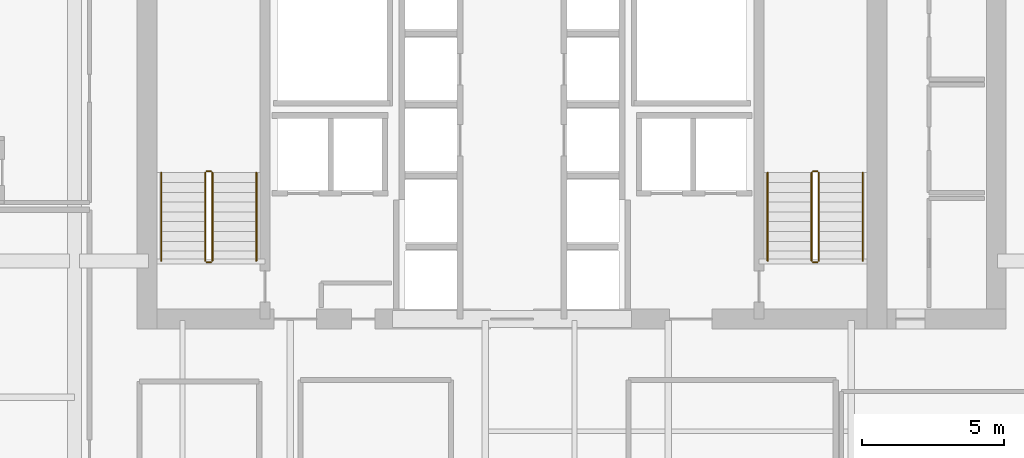
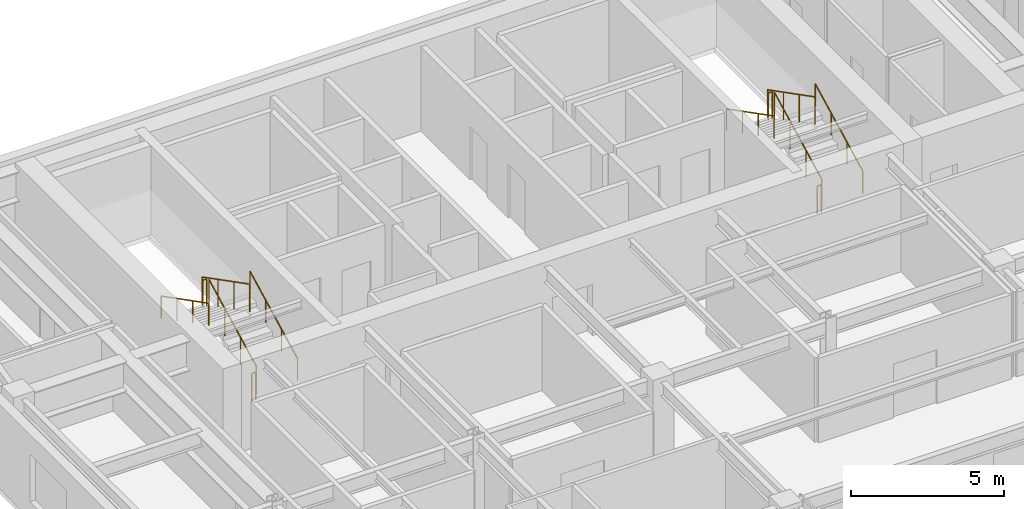
# One storey, part 14 of 14: 12 railings.
"""IFC4 building model written with IfcOpenShell, lengths in metres."""

from ifc_helpers import new_model, si_unit, direction, frame, origin, origin_2d, place, context, subcontext, project, spatial, circle, extrude, material, type_object, element, save


model = new_model("IFC4")

# Units and contexts
model_context = context("Model", 3, precision=1e-05, world=origin(), true_north=direction((0.0, 1.0)))
body_context = subcontext(model_context, "Body", "Model", "MODEL_VIEW")
ifc_project = project(units=[si_unit("LENGTHUNIT", "METRE"), si_unit("AREAUNIT", "SQUARE_METRE"), si_unit("VOLUMEUNIT", "CUBIC_METRE"), si_unit("PLANEANGLEUNIT", "RADIAN"), si_unit("MASSUNIT", "GRAM", prefix="KILO")], contexts=[model_context])

# Site, building, storey
site_placement = place(None, origin())
site = spatial("IfcSite", under=ifc_project, at=site_placement, CompositionType="ELEMENT")
building_placement = place(site_placement, origin())
building = spatial("IfcBuilding", under=site, at=building_placement, Name="Tolvann Quenvar Hotel", CompositionType="ELEMENT")
storey_placement = place(building_placement, frame((0.0, 0.0, 187.550048828125)))
storey = spatial("IfcBuildingStorey", under=building, at=storey_placement, Name="L49", CompositionType="ELEMENT", Elevation=187.550048828125)

# Railings
ifc_material = material(Name="Brushed 316 stainless steel balustrade and handrail", Category="steel")
railing_type_1 = type_object("IfcRailingType", Name="GUARDRAIL", PredefinedType="GUARDRAIL", material=ifc_material)
railing_1_placement = place(storey_placement, frame((12.449951171875, 34.0, 0.177490234375)))
element("IfcRailing", 1, at=railing_1_placement, inside=storey, type_object=railing_type_1, Name="L49 ST-C1 stair guard 1", PredefinedType="GUARDRAIL", context=body_context, shape_type="SweptSolid", body=[
    extrude(circle(Radius=0.02392578125, at=origin_2d()), frame((0.0, 0.0, 1.09619140625), z_axis=(0.0, 0.889221982265, 0.45747597342), x_axis=(-1.0, 0.0, 0.0)), (0.0, 0.0, 1.0), 3.49169921875),
    extrude(circle(Radius=0.02099609375, at=origin_2d()), origin(), (0.0, 0.0, 1.0), 1.072021484375),
    extrude(circle(Radius=0.02099609375, at=origin_2d()), frame((0.0, 1.034912109375, 0.532470703125)), (0.0, 0.0, 1.0), 1.072021484375),
    extrude(circle(Radius=0.02099609375, at=origin_2d()), frame((0.0, 2.070068359375, 1.06494140625)), (0.0, 0.0, 1.0), 1.072021484375),
    extrude(circle(Radius=0.02099609375, at=origin_2d()), frame((0.0, 3.10498046875, 1.597412109375)), (0.0, 0.0, 1.0), 1.072021484375),
])
railing_2_placement = place(storey_placement, frame((12.39990234375, 37.155029296875, 1.77490234375)))
element("IfcRailing", 2, at=railing_2_placement, inside=storey, type_object=railing_type_1, Name="L49 ST-C1 stair guard 2", PredefinedType="GUARDRAIL", context=body_context, shape_type="SweptSolid", body=[
    extrude(circle(Radius=0.02392578125, at=origin_2d()), frame((0.0, 0.0, 1.09619140625), z_axis=(-1.0, 0.0, 0.0), x_axis=(0.0, -1.0, 0.0)), (0.0, 0.0, 1.0), 0.14990234375),
    extrude(circle(Radius=0.02099609375, at=origin_2d()), origin(), (0.0, 0.0, 1.0), 1.072021484375),
    extrude(circle(Radius=0.02099609375, at=origin_2d()), frame((-0.14990234375, 0.0, 0.0)), (0.0, 0.0, 1.0), 1.072021484375),
])
railing_3_placement = place(storey_placement, frame((12.199951171875, 37.10498046875, 1.952392578125)))
element("IfcRailing", 3, at=railing_3_placement, inside=storey, type_object=railing_type_1, Name="L49 ST-C1 stair guard 3", PredefinedType="GUARDRAIL", context=body_context, shape_type="SweptSolid", body=[
    extrude(circle(Radius=0.02392578125, at=origin_2d()), frame((0.0, 0.0, 1.09619140625), z_axis=(0.0, -0.88919353882, 0.457531256332), x_axis=(1.0, 0.0, 0.0)), (0.0, 0.0, 1.0), 3.491943359375),
    extrude(circle(Radius=0.02099609375, at=origin_2d()), origin(), (0.0, 0.0, 1.0), 1.072021484375),
    extrude(circle(Radius=0.02099609375, at=origin_2d()), frame((0.0, -1.034912109375, 0.532470703125)), (0.0, 0.0, 1.0), 1.072021484375),
    extrude(circle(Radius=0.02099609375, at=origin_2d()), frame((0.0, -2.070068359375, 1.065185546875)), (0.0, 0.0, 1.0), 1.072021484375),
    extrude(circle(Radius=0.02099609375, at=origin_2d()), frame((0.0, -3.10498046875, 1.59765625)), (0.0, 0.0, 1.0), 1.072021484375),
])
railing_4_placement = place(storey_placement, frame((12.39990234375, 33.949951171875, 0.0)))
element("IfcRailing", 4, at=railing_4_placement, inside=storey, type_object=railing_type_1, Name="L49 ST-C1 stair guard 4", PredefinedType="GUARDRAIL", context=body_context, shape_type="SweptSolid", body=[
    extrude(circle(Radius=0.02392578125, at=origin_2d()), frame((0.0, 0.0, 1.09619140625), z_axis=(-1.0, 0.0, 0.0), x_axis=(0.0, -1.0, 0.0)), (0.0, 0.0, 1.0), 0.14990234375),
    extrude(circle(Radius=0.02099609375, at=origin_2d()), origin(), (0.0, 0.0, 1.0), 1.072021484375),
    extrude(circle(Radius=0.02099609375, at=origin_2d()), frame((-0.14990234375, 0.0, 0.0)), (0.0, 0.0, 1.0), 1.072021484375),
])
railing_5_placement = place(storey_placement, frame((33.800048828125, 34.0, 0.177490234375)))
element("IfcRailing", 5, at=railing_5_placement, inside=storey, type_object=railing_type_1, Name="L49 ST-C2 stair guard 1", PredefinedType="GUARDRAIL", context=body_context, shape_type="SweptSolid", body=[
    extrude(circle(Radius=0.02392578125, at=origin_2d()), frame((0.0, 0.0, 1.09619140625), z_axis=(0.0, 0.889221982265, 0.45747597342), x_axis=(-1.0, 0.0, 0.0)), (0.0, 0.0, 1.0), 3.49169921875),
    extrude(circle(Radius=0.02099609375, at=origin_2d()), origin(), (0.0, 0.0, 1.0), 1.072021484375),
    extrude(circle(Radius=0.02099609375, at=origin_2d()), frame((0.0, 1.034912109375, 0.532470703125)), (0.0, 0.0, 1.0), 1.072021484375),
    extrude(circle(Radius=0.02099609375, at=origin_2d()), frame((0.0, 2.070068359375, 1.06494140625)), (0.0, 0.0, 1.0), 1.072021484375),
    extrude(circle(Radius=0.02099609375, at=origin_2d()), frame((0.0, 3.10498046875, 1.597412109375)), (0.0, 0.0, 1.0), 1.072021484375),
])
railing_6_placement = place(storey_placement, frame((33.75, 37.155029296875, 1.77490234375)))
element("IfcRailing", 6, at=railing_6_placement, inside=storey, type_object=railing_type_1, Name="L49 ST-C2 stair guard 2", PredefinedType="GUARDRAIL", context=body_context, shape_type="SweptSolid", body=[
    extrude(circle(Radius=0.02392578125, at=origin_2d()), frame((0.0, 0.0, 1.09619140625), z_axis=(-1.0, 0.0, 0.0), x_axis=(0.0, -1.0, 0.0)), (0.0, 0.0, 1.0), 0.14990234375),
    extrude(circle(Radius=0.02099609375, at=origin_2d()), origin(), (0.0, 0.0, 1.0), 1.072021484375),
    extrude(circle(Radius=0.02099609375, at=origin_2d()), frame((-0.14990234375, 0.0, 0.0)), (0.0, 0.0, 1.0), 1.072021484375),
])
railing_7_placement = place(storey_placement, frame((33.550048828125, 37.10498046875, 1.952392578125)))
element("IfcRailing", 7, at=railing_7_placement, inside=storey, type_object=railing_type_1, Name="L49 ST-C2 stair guard 3", PredefinedType="GUARDRAIL", context=body_context, shape_type="SweptSolid", body=[
    extrude(circle(Radius=0.02392578125, at=origin_2d()), frame((0.0, 0.0, 1.09619140625), z_axis=(0.0, -0.88919353882, 0.457531256332), x_axis=(1.0, 0.0, 0.0)), (0.0, 0.0, 1.0), 3.491943359375),
    extrude(circle(Radius=0.02099609375, at=origin_2d()), origin(), (0.0, 0.0, 1.0), 1.072021484375),
    extrude(circle(Radius=0.02099609375, at=origin_2d()), frame((0.0, -1.034912109375, 0.532470703125)), (0.0, 0.0, 1.0), 1.072021484375),
    extrude(circle(Radius=0.02099609375, at=origin_2d()), frame((0.0, -2.070068359375, 1.065185546875)), (0.0, 0.0, 1.0), 1.072021484375),
    extrude(circle(Radius=0.02099609375, at=origin_2d()), frame((0.0, -3.10498046875, 1.59765625)), (0.0, 0.0, 1.0), 1.072021484375),
])
railing_8_placement = place(storey_placement, frame((33.75, 33.949951171875, 0.0)))
element("IfcRailing", 8, at=railing_8_placement, inside=storey, type_object=railing_type_1, Name="L49 ST-C2 stair guard 4", PredefinedType="GUARDRAIL", context=body_context, shape_type="SweptSolid", body=[
    extrude(circle(Radius=0.02392578125, at=origin_2d()), frame((0.0, 0.0, 1.09619140625), z_axis=(-1.0, 0.0, 0.0), x_axis=(0.0, -1.0, 0.0)), (0.0, 0.0, 1.0), 0.14990234375),
    extrude(circle(Radius=0.02099609375, at=origin_2d()), origin(), (0.0, 0.0, 1.0), 1.072021484375),
    extrude(circle(Radius=0.02099609375, at=origin_2d()), frame((-0.14990234375, 0.0, 0.0)), (0.0, 0.0, 1.0), 1.072021484375),
])
railing_type_2 = type_object("IfcRailingType", Name="HANDRAIL", PredefinedType="HANDRAIL", material=ifc_material)
railing_9_placement = place(storey_placement, frame((14.0, 34.0, 0.177490234375)))
element("IfcRailing", 9, at=railing_9_placement, inside=storey, type_object=railing_type_2, Name="L49 ST-C1 stair handrail 1", PredefinedType="HANDRAIL", context=body_context, shape_type="SweptSolid", body=[
    extrude(circle(Radius=0.02392578125, at=origin_2d()), frame((0.0, 0.0, 0.8759765625), z_axis=(0.0, 0.889221982265, 0.45747597342), x_axis=(-1.0, 0.0, 0.0)), (0.0, 0.0, 1.0), 3.49169921875),
    extrude(circle(Radius=0.02099609375, at=origin_2d()), origin(), (0.0, 0.0, 1.0), 0.851806640625),
    extrude(circle(Radius=0.02099609375, at=origin_2d()), frame((0.0, 1.034912109375, 0.532470703125)), (0.0, 0.0, 1.0), 0.851806640625),
    extrude(circle(Radius=0.02099609375, at=origin_2d()), frame((0.0, 2.070068359375, 1.06494140625)), (0.0, 0.0, 1.0), 0.851806640625),
    extrude(circle(Radius=0.02099609375, at=origin_2d()), frame((0.0, 3.10498046875, 1.597412109375)), (0.0, 0.0, 1.0), 0.851806640625),
])
railing_10_placement = place(storey_placement, frame((10.64990234375, 37.10498046875, 1.952392578125)))
element("IfcRailing", 10, at=railing_10_placement, inside=storey, type_object=railing_type_2, Name="L49 ST-C1 stair handrail 2", PredefinedType="HANDRAIL", context=body_context, shape_type="SweptSolid", body=[
    extrude(circle(Radius=0.02392578125, at=origin_2d()), frame((0.0, 0.0, 0.8759765625), z_axis=(0.0, -0.88919353882, 0.457531256332), x_axis=(1.0, 0.0, 0.0)), (0.0, 0.0, 1.0), 3.491943359375),
    extrude(circle(Radius=0.02099609375, at=origin_2d()), origin(), (0.0, 0.0, 1.0), 0.851806640625),
    extrude(circle(Radius=0.02099609375, at=origin_2d()), frame((0.0, -1.034912109375, 0.532470703125)), (0.0, 0.0, 1.0), 0.851806640625),
    extrude(circle(Radius=0.02099609375, at=origin_2d()), frame((0.0, -2.070068359375, 1.065185546875)), (0.0, 0.0, 1.0), 0.851806640625),
    extrude(circle(Radius=0.02099609375, at=origin_2d()), frame((0.0, -3.10498046875, 1.59765625)), (0.0, 0.0, 1.0), 0.851806640625),
])
railing_11_placement = place(storey_placement, frame((35.35009765625, 34.0, 0.177490234375)))
element("IfcRailing", 11, at=railing_11_placement, inside=storey, type_object=railing_type_2, Name="L49 ST-C2 stair handrail 1", PredefinedType="HANDRAIL", context=body_context, shape_type="SweptSolid", body=[
    extrude(circle(Radius=0.02392578125, at=origin_2d()), frame((0.0, 0.0, 0.8759765625), z_axis=(0.0, 0.889221982265, 0.45747597342), x_axis=(-1.0, 0.0, 0.0)), (0.0, 0.0, 1.0), 3.49169921875),
    extrude(circle(Radius=0.02099609375, at=origin_2d()), origin(), (0.0, 0.0, 1.0), 0.851806640625),
    extrude(circle(Radius=0.02099609375, at=origin_2d()), frame((0.0, 1.034912109375, 0.532470703125)), (0.0, 0.0, 1.0), 0.851806640625),
    extrude(circle(Radius=0.02099609375, at=origin_2d()), frame((0.0, 2.070068359375, 1.06494140625)), (0.0, 0.0, 1.0), 0.851806640625),
    extrude(circle(Radius=0.02099609375, at=origin_2d()), frame((0.0, 3.10498046875, 1.597412109375)), (0.0, 0.0, 1.0), 0.851806640625),
])
railing_12_placement = place(storey_placement, frame((32.0, 37.10498046875, 1.952392578125)))
element("IfcRailing", 12, at=railing_12_placement, inside=storey, type_object=railing_type_2, Name="L49 ST-C2 stair handrail 2", PredefinedType="HANDRAIL", context=body_context, shape_type="SweptSolid", body=[
    extrude(circle(Radius=0.02392578125, at=origin_2d()), frame((0.0, 0.0, 0.8759765625), z_axis=(0.0, -0.88919353882, 0.457531256332), x_axis=(1.0, 0.0, 0.0)), (0.0, 0.0, 1.0), 3.491943359375),
    extrude(circle(Radius=0.02099609375, at=origin_2d()), origin(), (0.0, 0.0, 1.0), 0.851806640625),
    extrude(circle(Radius=0.02099609375, at=origin_2d()), frame((0.0, -1.034912109375, 0.532470703125)), (0.0, 0.0, 1.0), 0.851806640625),
    extrude(circle(Radius=0.02099609375, at=origin_2d()), frame((0.0, -2.070068359375, 1.065185546875)), (0.0, 0.0, 1.0), 0.851806640625),
    extrude(circle(Radius=0.02099609375, at=origin_2d()), frame((0.0, -3.10498046875, 1.59765625)), (0.0, 0.0, 1.0), 0.851806640625),
])

save(model, "model.ifc")
